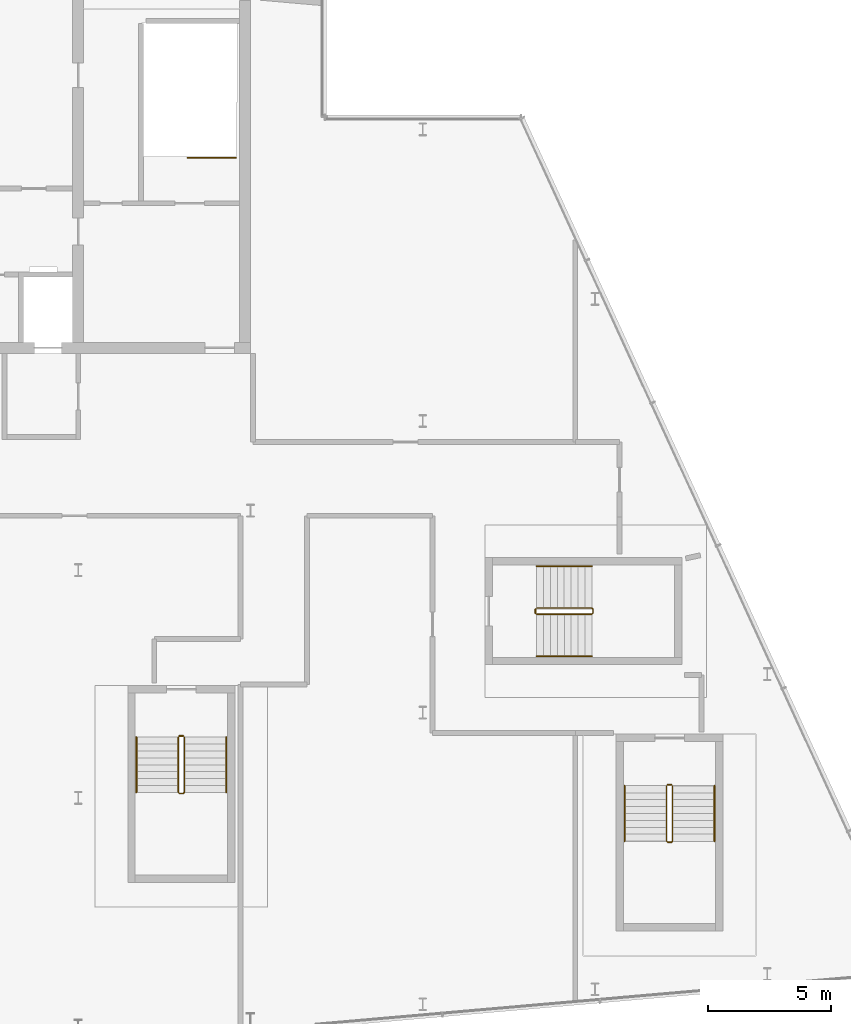
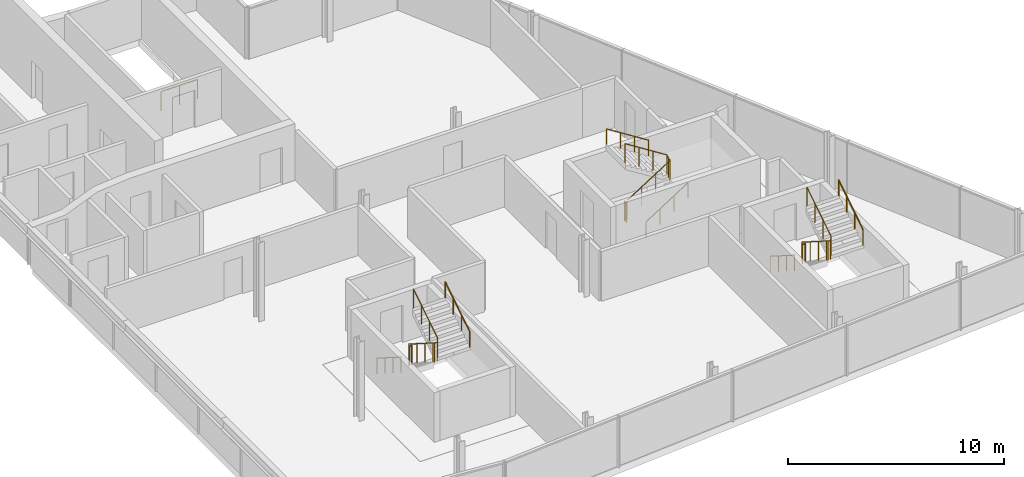
# One storey, part 10 of 10: 13 railings.
"""IFC4 building model written with IfcOpenShell, lengths in metres."""

from ifc_helpers import new_model, si_unit, direction, frame, origin, origin_2d, place, context, subcontext, project, spatial, circle, extrude, material, type_object, element, save


model = new_model("IFC4")

# Units and contexts
model_context = context("Model", 3, precision=1e-05, world=origin(), true_north=direction((0.0, 1.0)))
body_context = subcontext(model_context, "Body", "Model", "MODEL_VIEW")
ifc_project = project(units=[si_unit("LENGTHUNIT", "METRE"), si_unit("AREAUNIT", "SQUARE_METRE"), si_unit("VOLUMEUNIT", "CUBIC_METRE"), si_unit("PLANEANGLEUNIT", "RADIAN"), si_unit("MASSUNIT", "GRAM", prefix="KILO")], contexts=[model_context])

# Site, building, storey
site_placement = place(None, origin())
site = spatial("IfcSite", under=ifc_project, at=site_placement, CompositionType="ELEMENT")
building_placement = place(site_placement, origin())
building = spatial("IfcBuilding", under=site, at=building_placement, Name="Wharfspan Tower", CompositionType="ELEMENT")
storey_placement = place(building_placement, frame((0.0, 0.0, 267.5)))
storey = spatial("IfcBuildingStorey", under=building, at=storey_placement, Name="L68", CompositionType="ELEMENT", Elevation=267.5)

# Railings
ifc_material = material(Name="Steel S355J2", Category="steel")
railing_type_1 = type_object("IfcRailingType", Name="Stair guard 1100", PredefinedType="GUARDRAIL", material=ifc_material)
railing_1_placement = place(storey_placement, frame((50.399902, 41.949951, 0.0)))
element("IfcRailing", 1, at=railing_1_placement, inside=storey, type_object=railing_type_1, Name="L68 ST2 top well guard 1", PredefinedType="GUARDRAIL", context=body_context, shape_type="SweptSolid", body=[
    extrude(circle(Radius=0.023926, at=origin_2d()), frame((0.0, 0.0, 1.076172), z_axis=(-1.0, 0.0, 0.0), x_axis=(0.0, -1.0, 0.0)), (0.0, 0.0, 1.0), 1.949951),
    extrude(circle(Radius=0.020996, at=origin_2d()), origin(), (0.0, 0.0, 1.0), 1.052002),
    extrude(circle(Radius=0.020996, at=origin_2d()), frame((-0.975098, 0.0, 0.0)), (0.0, 0.0, 1.0), 1.052002),
    extrude(circle(Radius=0.020996, at=origin_2d()), frame((-1.949951, 0.0, 0.0)), (0.0, 0.0, 1.0), 1.052002),
])
railing_2_placement = place(storey_placement, frame((67.906738, 16.421631, 0.177734)))
element("IfcRailing", 2, at=railing_2_placement, inside=storey, type_object=railing_type_1, Name="L68 ST7 stair guard 1", PredefinedType="GUARDRAIL", context=body_context, shape_type="SweptSolid", body=[
    extrude(circle(Radius=0.023926, at=origin_2d()), frame((0.0, 0.0, 1.076172), z_axis=(0.0, -0.844188, 0.536048), x_axis=(1.0, 0.0, 0.0)), (0.0, 0.0, 1.0), 2.65332),
    extrude(circle(Radius=0.023926, at=origin_2d()), frame((0.0, -2.23999, 2.498535), z_axis=(0.707107, -0.707107, 0.0), x_axis=(0.707107, 0.707107, 0.0)), (0.0, 0.0, 1.0), 0.070312),
    extrude(circle(Radius=0.023926, at=origin_2d()), frame((0.049805, -2.289795, 2.498535), z_axis=(1.0, 0.0, 0.0), x_axis=(0.0, 1.0, 0.0)), (0.0, 0.0, 1.0), 0.150146),
    extrude(circle(Radius=0.023926, at=origin_2d()), frame((0.199951, -2.289795, 2.498535), z_axis=(0.261699, 0.260423, 0.929351), x_axis=(-0.70538, 0.708829, 2e-06)), (0.0, 0.0, 1.0), 0.191162),
    extrude(circle(Radius=0.023926, at=origin_2d()), frame((0.25, -2.23999, 2.67627), z_axis=(0.0, 0.844229, 0.535982), x_axis=(-1.0, 0.0, 0.0)), (0.0, 0.0, 1.0), 2.65332),
    extrude(circle(Radius=0.020996, at=origin_2d()), origin(), (0.0, 0.0, 1.0), 1.052002),
    extrude(circle(Radius=0.020996, at=origin_2d()), frame((0.0, -0.746582, 0.474121)), (0.0, 0.0, 1.0), 1.052002),
    extrude(circle(Radius=0.020996, at=origin_2d()), frame((0.0, -1.493408, 0.948242)), (0.0, 0.0, 1.0), 1.052002),
    extrude(circle(Radius=0.020996, at=origin_2d()), frame((0.0, -2.23999, 1.422363)), (0.0, 0.0, 1.0), 1.052002),
    extrude(circle(Radius=0.020996, at=origin_2d()), frame((0.049805, -2.289795, 1.422363)), (0.0, 0.0, 1.0), 1.052002),
    extrude(circle(Radius=0.020996, at=origin_2d()), frame((0.199951, -2.289795, 1.422363)), (0.0, 0.0, 1.0), 1.052002),
    extrude(circle(Radius=0.020996, at=origin_2d()), frame((0.25, -2.23999, 1.600098)), (0.0, 0.0, 1.0), 1.052002),
    extrude(circle(Radius=0.020996, at=origin_2d()), frame((0.25, -1.493408, 2.074219)), (0.0, 0.0, 1.0), 1.052002),
    extrude(circle(Radius=0.020996, at=origin_2d()), frame((0.25, -0.746582, 2.548096)), (0.0, 0.0, 1.0), 1.052002),
    extrude(circle(Radius=0.020996, at=origin_2d()), frame((0.25, 0.0, 3.022217)), (0.0, 0.0, 1.0), 1.052002),
])
railing_3_placement = place(storey_placement, frame((67.956543, 16.47168, 0.0)))
element("IfcRailing", 3, at=railing_3_placement, inside=storey, type_object=railing_type_1, Name="L68 ST7 stair guard 2", PredefinedType="GUARDRAIL", context=body_context, shape_type="SweptSolid", body=[
    extrude(circle(Radius=0.023926, at=origin_2d()), frame((0.0, 0.0, 1.076172), z_axis=(1.0, 0.0, 0.0), x_axis=(0.0, 1.0, 0.0)), (0.0, 0.0, 1.0), 0.150146),
    extrude(circle(Radius=0.020996, at=origin_2d()), origin(), (0.0, 0.0, 1.0), 1.052002),
    extrude(circle(Radius=0.020996, at=origin_2d()), frame((0.150146, 0.0, 0.0)), (0.0, 0.0, 1.0), 1.052002),
])
railing_4_placement = place(storey_placement, frame((62.631592, 23.396729, 0.177734)))
element("IfcRailing", 4, at=railing_4_placement, inside=storey, type_object=railing_type_1, Name="L68 ST8 stair guard 1", PredefinedType="GUARDRAIL", context=body_context, shape_type="SweptSolid", body=[
    extrude(circle(Radius=0.023926, at=origin_2d()), frame((0.0, 0.0, 1.076172), z_axis=(0.844188, 0.0, 0.536048), x_axis=(0.0, 1.0, 0.0)), (0.0, 0.0, 1.0), 2.65332),
    extrude(circle(Radius=0.023926, at=origin_2d()), frame((2.23999, 0.0, 2.498535), z_axis=(0.707107, 0.707107, 0.0), x_axis=(-0.707107, 0.707107, 0.0)), (0.0, 0.0, 1.0), 0.070801),
    extrude(circle(Radius=0.023926, at=origin_2d()), frame((2.290039, 0.050049, 2.498535), z_axis=(0.0, 1.0, 0.0), x_axis=(-1.0, 0.0, 0.0)), (0.0, 0.0, 1.0), 0.149902),
    extrude(circle(Radius=0.023926, at=origin_2d()), frame((2.290039, 0.199951, 2.498535), z_axis=(-0.261612, 0.261612, 0.929042), x_axis=(-0.707107, -0.707107, 0.0)), (0.0, 0.0, 1.0), 0.191406),
    extrude(circle(Radius=0.023926, at=origin_2d()), frame((2.23999, 0.25, 2.67627), z_axis=(-0.844229, 0.0, 0.535982), x_axis=(0.0, -1.0, 0.0)), (0.0, 0.0, 1.0), 2.65332),
    extrude(circle(Radius=0.020996, at=origin_2d()), origin(), (0.0, 0.0, 1.0), 1.052002),
    extrude(circle(Radius=0.020996, at=origin_2d()), frame((0.746582, 0.0, 0.474121)), (0.0, 0.0, 1.0), 1.052002),
    extrude(circle(Radius=0.020996, at=origin_2d()), frame((1.493408, 0.0, 0.948242)), (0.0, 0.0, 1.0), 1.052002),
    extrude(circle(Radius=0.020996, at=origin_2d()), frame((2.23999, 0.0, 1.422363)), (0.0, 0.0, 1.0), 1.052002),
    extrude(circle(Radius=0.020996, at=origin_2d()), frame((2.290039, 0.050049, 1.422363)), (0.0, 0.0, 1.0), 1.052002),
    extrude(circle(Radius=0.020996, at=origin_2d()), frame((2.290039, 0.199951, 1.422363)), (0.0, 0.0, 1.0), 1.052002),
    extrude(circle(Radius=0.020996, at=origin_2d()), frame((2.23999, 0.25, 1.600098)), (0.0, 0.0, 1.0), 1.052002),
    extrude(circle(Radius=0.020996, at=origin_2d()), frame((1.493408, 0.25, 2.074219)), (0.0, 0.0, 1.0), 1.052002),
    extrude(circle(Radius=0.020996, at=origin_2d()), frame((0.746582, 0.25, 2.548096)), (0.0, 0.0, 1.0), 1.052002),
    extrude(circle(Radius=0.020996, at=origin_2d()), frame((0.0, 0.25, 3.022217)), (0.0, 0.0, 1.0), 1.052002),
])
railing_5_placement = place(storey_placement, frame((62.581543, 23.446777, 0.0)))
element("IfcRailing", 5, at=railing_5_placement, inside=storey, type_object=railing_type_1, Name="L68 ST8 stair guard 2", PredefinedType="GUARDRAIL", context=body_context, shape_type="SweptSolid", body=[
    extrude(circle(Radius=0.023926, at=origin_2d()), frame((0.0, 0.0, 1.076172), z_axis=(0.0, 1.0, 0.0), x_axis=(-1.0, 0.0, 0.0)), (0.0, 0.0, 1.0), 0.149902),
    extrude(circle(Radius=0.020996, at=origin_2d()), origin(), (0.0, 0.0, 1.0), 1.052002),
    extrude(circle(Radius=0.020996, at=origin_2d()), frame((0.0, 0.149902, 0.0)), (0.0, 0.0, 1.0), 1.052002),
])
railing_6_placement = place(storey_placement, frame((48.066162, 18.400391, 0.177734)))
element("IfcRailing", 6, at=railing_6_placement, inside=storey, type_object=railing_type_1, Name="L68 ST9 stair guard 1", PredefinedType="GUARDRAIL", context=body_context, shape_type="SweptSolid", body=[
    extrude(circle(Radius=0.023926, at=origin_2d()), frame((0.0, 0.0, 1.076172), z_axis=(0.0, -0.844188, 0.536048), x_axis=(1.0, 0.0, 0.0)), (0.0, 0.0, 1.0), 2.65332),
    extrude(circle(Radius=0.023926, at=origin_2d()), frame((0.0, -2.23999, 2.498535), z_axis=(0.705376, -0.708834, 0.0), x_axis=(0.708834, 0.705376, 0.0)), (0.0, 0.0, 1.0), 0.070557),
    extrude(circle(Radius=0.023926, at=origin_2d()), frame((0.049805, -2.290039, 2.498535), z_axis=(1.0, 0.0, 0.0), x_axis=(0.0, 1.0, 0.0)), (0.0, 0.0, 1.0), 0.150146),
    extrude(circle(Radius=0.023926, at=origin_2d()), frame((0.199951, -2.290039, 2.498535), z_axis=(0.261612, 0.261612, 0.929042), x_axis=(-0.707107, 0.707107, 0.0)), (0.0, 0.0, 1.0), 0.191406),
    extrude(circle(Radius=0.023926, at=origin_2d()), frame((0.25, -2.23999, 2.67627), z_axis=(0.0, 0.844229, 0.535982), x_axis=(-1.0, 0.0, 0.0)), (0.0, 0.0, 1.0), 2.65332),
    extrude(circle(Radius=0.020996, at=origin_2d()), origin(), (0.0, 0.0, 1.0), 1.052002),
    extrude(circle(Radius=0.020996, at=origin_2d()), frame((0.0, -0.746582, 0.474121)), (0.0, 0.0, 1.0), 1.052002),
    extrude(circle(Radius=0.020996, at=origin_2d()), frame((0.0, -1.493408, 0.948242)), (0.0, 0.0, 1.0), 1.052002),
    extrude(circle(Radius=0.020996, at=origin_2d()), frame((0.0, -2.23999, 1.422363)), (0.0, 0.0, 1.0), 1.052002),
    extrude(circle(Radius=0.020996, at=origin_2d()), frame((0.049805, -2.290039, 1.422363)), (0.0, 0.0, 1.0), 1.052002),
    extrude(circle(Radius=0.020996, at=origin_2d()), frame((0.199951, -2.290039, 1.422363)), (0.0, 0.0, 1.0), 1.052002),
    extrude(circle(Radius=0.020996, at=origin_2d()), frame((0.25, -2.23999, 1.600098)), (0.0, 0.0, 1.0), 1.052002),
    extrude(circle(Radius=0.020996, at=origin_2d()), frame((0.25, -1.493408, 2.074219)), (0.0, 0.0, 1.0), 1.052002),
    extrude(circle(Radius=0.020996, at=origin_2d()), frame((0.25, -0.746582, 2.548096)), (0.0, 0.0, 1.0), 1.052002),
    extrude(circle(Radius=0.020996, at=origin_2d()), frame((0.25, 0.0, 3.022217)), (0.0, 0.0, 1.0), 1.052002),
])
railing_7_placement = place(storey_placement, frame((48.115967, 18.450439, 0.0)))
element("IfcRailing", 7, at=railing_7_placement, inside=storey, type_object=railing_type_1, Name="L68 ST9 stair guard 2", PredefinedType="GUARDRAIL", context=body_context, shape_type="SweptSolid", body=[
    extrude(circle(Radius=0.023926, at=origin_2d()), frame((0.0, 0.0, 1.076172), z_axis=(1.0, 0.0, 0.0), x_axis=(0.0, 1.0, 0.0)), (0.0, 0.0, 1.0), 0.150146),
    extrude(circle(Radius=0.020996, at=origin_2d()), origin(), (0.0, 0.0, 1.0), 1.052002),
    extrude(circle(Radius=0.020996, at=origin_2d()), frame((0.150146, 0.0, 0.0)), (0.0, 0.0, 1.0), 1.052002),
])
railing_type_2 = type_object("IfcRailingType", Name="Stair handrail 900", PredefinedType="HANDRAIL", material=ifc_material)
railing_8_placement = place(storey_placement, frame((66.206543, 16.421631, 0.177734)))
element("IfcRailing", 8, at=railing_8_placement, inside=storey, type_object=railing_type_2, Name="L68 ST7 stair handrail 1", PredefinedType="HANDRAIL", context=body_context, shape_type="SweptSolid", body=[
    extrude(circle(Radius=0.023926, at=origin_2d()), frame((0.0, 0.0, 0.875977), z_axis=(0.0, -0.844188, 0.536048), x_axis=(1.0, 0.0, 0.0)), (0.0, 0.0, 1.0), 2.65332),
    extrude(circle(Radius=0.020996, at=origin_2d()), origin(), (0.0, 0.0, 1.0), 0.851807),
    extrude(circle(Radius=0.020996, at=origin_2d()), frame((0.0, -0.746582, 0.474121)), (0.0, 0.0, 1.0), 0.851807),
    extrude(circle(Radius=0.020996, at=origin_2d()), frame((0.0, -1.493408, 0.948242)), (0.0, 0.0, 1.0), 0.851807),
    extrude(circle(Radius=0.020996, at=origin_2d()), frame((0.0, -2.23999, 1.422363)), (0.0, 0.0, 1.0), 0.851807),
])
railing_9_placement = place(storey_placement, frame((69.856689, 14.181641, 1.777832)))
element("IfcRailing", 9, at=railing_9_placement, inside=storey, type_object=railing_type_2, Name="L68 ST7 stair handrail 2", PredefinedType="HANDRAIL", context=body_context, shape_type="SweptSolid", body=[
    extrude(circle(Radius=0.023926, at=origin_2d()), frame((0.0, 0.0, 0.875977), z_axis=(0.0, 0.844229, 0.535982), x_axis=(-1.0, 0.0, 0.0)), (0.0, 0.0, 1.0), 2.65332),
    extrude(circle(Radius=0.020996, at=origin_2d()), origin(), (0.0, 0.0, 1.0), 0.851807),
    extrude(circle(Radius=0.020996, at=origin_2d()), frame((0.0, 0.746582, 0.474121)), (0.0, 0.0, 1.0), 0.851807),
    extrude(circle(Radius=0.020996, at=origin_2d()), frame((0.0, 1.493408, 0.947998)), (0.0, 0.0, 1.0), 0.851807),
    extrude(circle(Radius=0.020996, at=origin_2d()), frame((0.0, 2.23999, 1.422119)), (0.0, 0.0, 1.0), 0.851807),
])
railing_10_placement = place(storey_placement, frame((62.631592, 21.696777, 0.177734)))
element("IfcRailing", 10, at=railing_10_placement, inside=storey, type_object=railing_type_2, Name="L68 ST8 stair handrail 1", PredefinedType="HANDRAIL", context=body_context, shape_type="SweptSolid", body=[
    extrude(circle(Radius=0.023926, at=origin_2d()), frame((0.0, 0.0, 0.875977), z_axis=(0.844188, 0.0, 0.536048), x_axis=(0.0, 1.0, 0.0)), (0.0, 0.0, 1.0), 2.65332),
    extrude(circle(Radius=0.020996, at=origin_2d()), origin(), (0.0, 0.0, 1.0), 0.851807),
    extrude(circle(Radius=0.020996, at=origin_2d()), frame((0.746582, 0.0, 0.474121)), (0.0, 0.0, 1.0), 0.851807),
    extrude(circle(Radius=0.020996, at=origin_2d()), frame((1.493408, 0.0, 0.948242)), (0.0, 0.0, 1.0), 0.851807),
    extrude(circle(Radius=0.020996, at=origin_2d()), frame((2.23999, 0.0, 1.422363)), (0.0, 0.0, 1.0), 0.851807),
])
railing_11_placement = place(storey_placement, frame((64.871582, 25.34668, 1.777832)))
element("IfcRailing", 11, at=railing_11_placement, inside=storey, type_object=railing_type_2, Name="L68 ST8 stair handrail 2", PredefinedType="HANDRAIL", context=body_context, shape_type="SweptSolid", body=[
    extrude(circle(Radius=0.023926, at=origin_2d()), frame((0.0, 0.0, 0.875977), z_axis=(-0.844229, 0.0, 0.535982), x_axis=(0.0, -1.0, 0.0)), (0.0, 0.0, 1.0), 2.65332),
    extrude(circle(Radius=0.020996, at=origin_2d()), origin(), (0.0, 0.0, 1.0), 0.851807),
    extrude(circle(Radius=0.020996, at=origin_2d()), frame((-0.746582, 0.0, 0.474121)), (0.0, 0.0, 1.0), 0.851807),
    extrude(circle(Radius=0.020996, at=origin_2d()), frame((-1.493408, 0.0, 0.947998)), (0.0, 0.0, 1.0), 0.851807),
    extrude(circle(Radius=0.020996, at=origin_2d()), frame((-2.23999, 0.0, 1.422119)), (0.0, 0.0, 1.0), 0.851807),
])
railing_12_placement = place(storey_placement, frame((46.365967, 18.400391, 0.177734)))
element("IfcRailing", 12, at=railing_12_placement, inside=storey, type_object=railing_type_2, Name="L68 ST9 stair handrail 1", PredefinedType="HANDRAIL", context=body_context, shape_type="SweptSolid", body=[
    extrude(circle(Radius=0.023926, at=origin_2d()), frame((0.0, 0.0, 0.875977), z_axis=(0.0, -0.844188, 0.536048), x_axis=(1.0, 0.0, 0.0)), (0.0, 0.0, 1.0), 2.65332),
    extrude(circle(Radius=0.020996, at=origin_2d()), origin(), (0.0, 0.0, 1.0), 0.851807),
    extrude(circle(Radius=0.020996, at=origin_2d()), frame((0.0, -0.746582, 0.474121)), (0.0, 0.0, 1.0), 0.851807),
    extrude(circle(Radius=0.020996, at=origin_2d()), frame((0.0, -1.493408, 0.948242)), (0.0, 0.0, 1.0), 0.851807),
    extrude(circle(Radius=0.020996, at=origin_2d()), frame((0.0, -2.23999, 1.422363)), (0.0, 0.0, 1.0), 0.851807),
])
railing_13_placement = place(storey_placement, frame((50.016113, 16.1604, 1.777832)))
element("IfcRailing", 13, at=railing_13_placement, inside=storey, type_object=railing_type_2, Name="L68 ST9 stair handrail 2", PredefinedType="HANDRAIL", context=body_context, shape_type="SweptSolid", body=[
    extrude(circle(Radius=0.023926, at=origin_2d()), frame((0.0, 0.0, 0.875977), z_axis=(0.0, 0.844229, 0.535982), x_axis=(-1.0, 0.0, 0.0)), (0.0, 0.0, 1.0), 2.65332),
    extrude(circle(Radius=0.020996, at=origin_2d()), origin(), (0.0, 0.0, 1.0), 0.851807),
    extrude(circle(Radius=0.020996, at=origin_2d()), frame((0.0, 0.746582, 0.474121)), (0.0, 0.0, 1.0), 0.851807),
    extrude(circle(Radius=0.020996, at=origin_2d()), frame((0.0, 1.493408, 0.947998)), (0.0, 0.0, 1.0), 0.851807),
    extrude(circle(Radius=0.020996, at=origin_2d()), frame((0.0, 2.23999, 1.422119)), (0.0, 0.0, 1.0), 0.851807),
])

save(model, "model.ifc")
